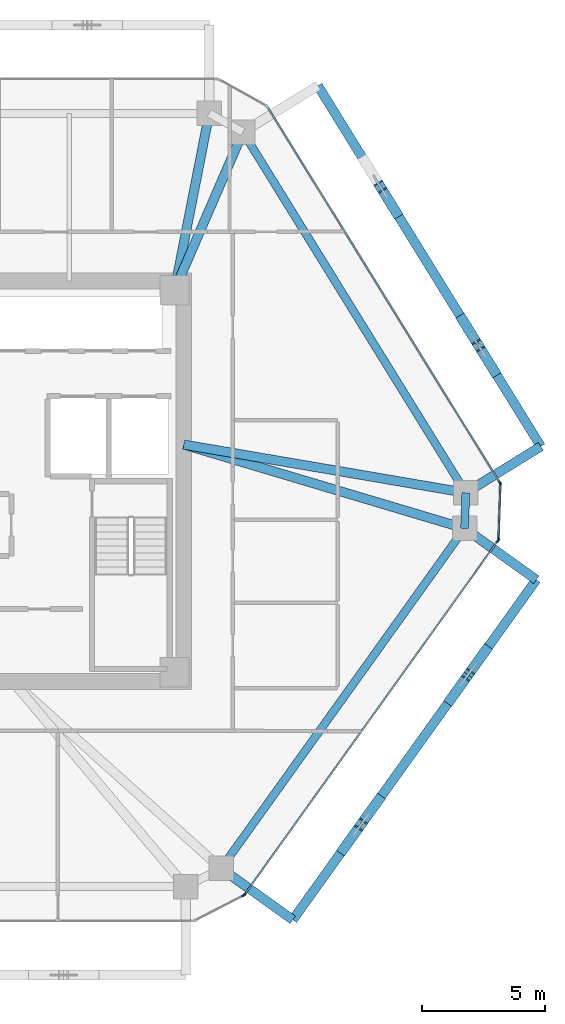
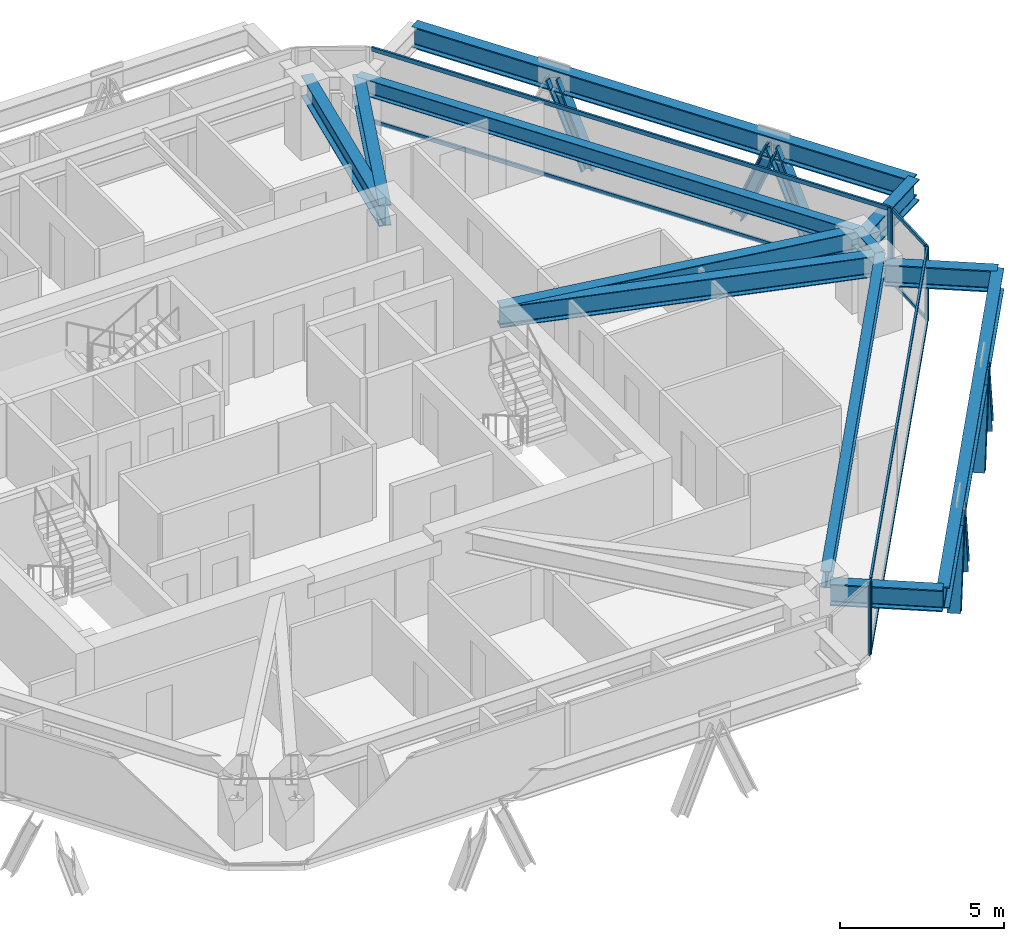
# One storey, part 5 of 15: 19 members, 12 beams, 4 elements without a shape of their own.
"""IFC4 building model written with IfcOpenShell, lengths in metres."""

from ifc_helpers import new_model, si_unit, direction, frame, origin, origin_2d, place, context, subcontext, project, spatial, rectangle, i_section, extrude, source, transform, mapped, material, layer, layer_set, material_profile, profile_set, type_object, type_shapes, element, aggregate, save


model = new_model("IFC4")

# Units and contexts
model_context = context("Model", 3, precision=1e-05, world=origin(), true_north=direction((0.0, 1.0)))
body_context = subcontext(model_context, "Body", "Model", "MODEL_VIEW")
ifc_project = project(units=[si_unit("LENGTHUNIT", "METRE"), si_unit("AREAUNIT", "SQUARE_METRE"), si_unit("VOLUMEUNIT", "CUBIC_METRE"), si_unit("PLANEANGLEUNIT", "RADIAN"), si_unit("MASSUNIT", "GRAM", prefix="KILO")], contexts=[model_context])

# Site, building, storey
site_placement = place(None, origin())
site = spatial("IfcSite", under=ifc_project, at=site_placement, CompositionType="ELEMENT")
building_placement = place(site_placement, origin())
building = spatial("IfcBuilding", under=site, at=building_placement, Name="Durnholm Broadcast Tower", CompositionType="ELEMENT")
storey_placement = place(building_placement, frame((0.0, 0.0, 206.199951171875)))
storey = spatial("IfcBuildingStorey", under=building, at=storey_placement, Name="L57", CompositionType="ELEMENT", Elevation=206.199951171875)

# Beams
ifc_material_1 = material(Name="Steel ASTM A992 Grade 50", Category="steel")
ifc_material_profile_1 = material_profile(ifc_material_1, i_section(OverallWidth=0.385009765625, OverallDepth=0.802978515625, WebThickness=0.023681640625, FlangeThickness=0.0419921875, FilletRadius=0.032958984375, at=origin_2d()), Name="W30X261")
ifc_profile_set_1 = profile_set([ifc_material_profile_1], Name="Steel ASTM A992 Grade 50")
beam_type_1 = type_object("IfcBeamType", Name="BM-EXO-TIE", PredefinedType="USERDEFINED", material=ifc_profile_set_1)
shared_shape_1 = source(origin(), body_context, "Body", "SweptSolid", [
    extrude(i_section(OverallWidth=0.385009765625, OverallDepth=0.802978515625, WebThickness=0.023681640625, FlangeThickness=0.0419921875, FilletRadius=0.032958984375, at=origin_2d()), origin(), (0.0, 0.0, 1.0), 3.4560546875),
])
for number, where, z_axis, x_axis, name in (
    (1, (11.81689453125, -15.884033203125, 2.008544921875), (0.813079048773, -0.582153296346, 0.0), (0.582153296346, 0.813079048773, 0.0), "L57 exoskeleton stand-off tie bracket F2.1"),
    (2, (21.7548828125, -2.00341796875, 2.008544921875), (0.813079048773, -0.582153296346, 0.0), (0.582153296346, 0.813079048773, 0.0), "L57 exoskeleton stand-off tie bracket F2.2"),
    (3, (21.8095703125, -0.3916015625, 2.008544921875), (0.850662348375, 0.525712439512, 0.0), (-0.525712439512, 0.850662348375, 0.0), "L57 exoskeleton stand-off tie bracket F3.1"),
):
    element("IfcBeam", number, at=place(storey_placement, frame(where, z_axis=z_axis, x_axis=x_axis)), inside=storey, type_object=beam_type_1, Name=name, ObjectType="GIRDER", PredefinedType="USERDEFINED", context=body_context, shape_type="MappedRepresentation", body=[
        mapped(shared_shape_1, transform((0.0, 0.0, 0.0), x_axis=(1.0, 0.0, 0.0), y_axis=(0.0, 1.0, 0.0), z_axis=(0.0, 0.0, 1.0), scale=1.0)),
    ])
ifc_material_profile_2 = material_profile(ifc_material_1, i_section(OverallWidth=0.3251953125, OverallDepth=0.6162109375, WebThickness=0.013916015625, FlangeThickness=0.021484375, FilletRadius=0.02783203125, at=origin_2d()), Name="W24X117")
ifc_profile_set_2 = profile_set([ifc_material_profile_2], Name="Steel ASTM A992 Grade 50")
beam_type_2 = type_object("IfcBeamType", Name="STL-SP-W24X117", PredefinedType="SPANDREL", material=ifc_profile_set_2)
shared_shape_2 = source(origin(), body_context, "Body", "SweptSolid", [
    extrude(i_section(OverallWidth=0.3251953125, OverallDepth=0.6162109375, WebThickness=0.013916015625, FlangeThickness=0.021484375, FilletRadius=0.02783203125, at=origin_2d()), origin(), (0.0, 0.0, 1.0), 17.30322265625),
])
beam_1_placement = place(storey_placement, frame((12.5908203125, 14.252197265625, 2.43701171875), z_axis=(0.525691424148, -0.850675335588, 0.0), x_axis=(0.850675335588, 0.525691424148, 0.0)))
element("IfcBeam", 4, at=beam_1_placement, inside=storey, type_object=beam_type_2, Name="L57 perimeter spandrel girder 07", PredefinedType="SPANDREL", context=body_context, shape_type="MappedRepresentation", body=[
    mapped(shared_shape_2, transform((0.0, 0.0, 0.0), x_axis=(1.0, 0.0, 0.0), y_axis=(0.0, 1.0, 0.0), z_axis=(0.0, 0.0, 1.0), scale=1.0)),
])
shared_shape_3 = source(origin(), body_context, "Body", "SweptSolid", [
    extrude(i_section(OverallWidth=0.3251953125, OverallDepth=0.6162109375, WebThickness=0.013916015625, FlangeThickness=0.021484375, FilletRadius=0.02783203125, at=origin_2d()), origin(), (0.0, 0.0, 1.0), 1.453125),
])
beam_2_placement = place(storey_placement, frame((21.68701171875, -0.46728515625, 2.43701171875), z_axis=(-0.033767922326, -0.99942970109, 0.0), x_axis=(0.99942970109, -0.033767922326, 0.0)))
element("IfcBeam", 5, at=beam_2_placement, inside=storey, type_object=beam_type_2, Name="L57 perimeter spandrel girder 08", PredefinedType="SPANDREL", context=body_context, shape_type="MappedRepresentation", body=[
    mapped(shared_shape_3, transform((0.0, 0.0, 0.0), x_axis=(1.0, 0.0, 0.0), y_axis=(0.0, 1.0, 0.0), z_axis=(0.0, 0.0, 1.0), scale=1.0)),
])
shared_shape_4 = source(origin(), body_context, "Body", "SweptSolid", [
    extrude(i_section(OverallWidth=0.3251953125, OverallDepth=0.6162109375, WebThickness=0.013916015625, FlangeThickness=0.021484375, FilletRadius=0.02783203125, at=origin_2d()), origin(), (0.0, 0.0, 1.0), 17.071533203125),
])
type_shapes(beam_type_2, [shared_shape_2, shared_shape_3, shared_shape_4])
beam_3_placement = place(storey_placement, frame((21.637939453125, -1.919677734375, 2.43701171875), z_axis=(-0.582149612352, -0.813081686449, 0.0), x_axis=(0.813081686449, -0.582149612352, 0.0)))
element("IfcBeam", 6, at=beam_3_placement, inside=storey, type_object=beam_type_2, Name="L57 perimeter spandrel girder 09", PredefinedType="SPANDREL", context=body_context, shape_type="MappedRepresentation", body=[
    mapped(shared_shape_4, transform((0.0, 0.0, 0.0), x_axis=(1.0, 0.0, 0.0), y_axis=(0.0, 1.0, 0.0), z_axis=(0.0, 0.0, 1.0), scale=1.0)),
])
ifc_material_profile_3 = material_profile(ifc_material_1, i_section(OverallWidth=0.380615234375, OverallDepth=0.773193359375, WebThickness=0.0166015625, FlangeThickness=0.027099609375, FilletRadius=0.032958984375, at=origin_2d()), Name="W30X173")
ifc_profile_set_3 = profile_set([ifc_material_profile_3], Name="Steel ASTM A992 Grade 50")
beam_type_3 = type_object("IfcBeamType", Name="STL-GR-W30X173", PredefinedType="USERDEFINED", material=ifc_profile_set_3)
shared_shape_5 = source(origin(), body_context, "Body", "SweptSolid", [
    extrude(i_section(OverallWidth=0.380615234375, OverallDepth=0.773193359375, WebThickness=0.0166015625, FlangeThickness=0.027099609375, FilletRadius=0.032958984375, at=origin_2d()), origin(), (0.0, 0.0, 1.0), 7.35595703125),
])
beam_4_placement = place(storey_placement, frame((9.800048828125, 7.800048828125, 2.3583984375), z_axis=(0.192700221893, 0.981257674865, 0.0), x_axis=(-0.981257674865, 0.192700221893, 0.0)))
element("IfcBeam", 7, at=beam_4_placement, inside=storey, type_object=beam_type_3, Name="L57 radial primary floor girder 06", ObjectType="GIRDER", PredefinedType="USERDEFINED", context=body_context, shape_type="MappedRepresentation", body=[
    mapped(shared_shape_5, transform((0.0, 0.0, 0.0), x_axis=(1.0, 0.0, 0.0), y_axis=(0.0, 1.0, 0.0), z_axis=(0.0, 0.0, 1.0), scale=1.0)),
])
shared_shape_6 = source(origin(), body_context, "Body", "SweptSolid", [
    extrude(i_section(OverallWidth=0.380615234375, OverallDepth=0.773193359375, WebThickness=0.0166015625, FlangeThickness=0.027099609375, FilletRadius=0.032958984375, at=origin_2d()), origin(), (0.0, 0.0, 1.0), 7.02978515625),
])
beam_5_placement = place(storey_placement, frame((9.800048828125, 7.800048828125, 2.3583984375), z_axis=(0.396989434191, 0.91782317967, 0.0), x_axis=(-0.91782317967, 0.396989434191, 0.0)))
element("IfcBeam", 8, at=beam_5_placement, inside=storey, type_object=beam_type_3, Name="L57 radial primary floor girder 07", ObjectType="GIRDER", PredefinedType="USERDEFINED", context=body_context, shape_type="MappedRepresentation", body=[
    mapped(shared_shape_6, transform((0.0, 0.0, 0.0), x_axis=(1.0, 0.0, 0.0), y_axis=(0.0, 1.0, 0.0), z_axis=(0.0, 0.0, 1.0), scale=1.0)),
])
shared_shape_7 = source(origin(), body_context, "Body", "SweptSolid", [
    extrude(i_section(OverallWidth=0.385009765625, OverallDepth=0.802978515625, WebThickness=0.023681640625, FlangeThickness=0.0419921875, FilletRadius=0.032958984375, at=origin_2d()), origin(), (0.0, 0.0, 1.0), 17.071533203125),
])
beam_6_placement = place(storey_placement, frame((14.626953125, -17.89599609375, 2.008544921875), z_axis=(0.582140157836, 0.813088455603, 0.0), x_axis=(-0.813088455603, 0.582140157836, 0.0)))
element("IfcBeam", 9, at=beam_6_placement, inside=storey, type_object=beam_type_1, Name="L57 exoskeleton collector spandrel F2", PredefinedType="SPANDREL", context=body_context, shape_type="MappedRepresentation", body=[
    mapped(shared_shape_7, transform((0.0, 0.0, 0.0), x_axis=(1.0, 0.0, 0.0), y_axis=(0.0, 1.0, 0.0), z_axis=(0.0, 0.0, 1.0), scale=1.0)),
])
shared_shape_8 = source(origin(), body_context, "Body", "SweptSolid", [
    extrude(i_section(OverallWidth=0.385009765625, OverallDepth=0.802978515625, WebThickness=0.023681640625, FlangeThickness=0.0419921875, FilletRadius=0.032958984375, at=origin_2d()), origin(), (0.0, 0.0, 1.0), 17.303466796875),
])
type_shapes(beam_type_1, [shared_shape_1, shared_shape_7, shared_shape_8])
beam_7_placement = place(storey_placement, frame((24.74951171875, 1.42529296875, 2.008544921875), z_axis=(-0.525701634347, 0.850669025911, 0.0), x_axis=(-0.850669025911, -0.525701634347, 0.0)))
element("IfcBeam", 10, at=beam_7_placement, inside=storey, type_object=beam_type_1, Name="L57 exoskeleton collector spandrel F3", PredefinedType="SPANDREL", context=body_context, shape_type="MappedRepresentation", body=[
    mapped(shared_shape_8, transform((0.0, 0.0, 0.0), x_axis=(1.0, 0.0, 0.0), y_axis=(0.0, 1.0, 0.0), z_axis=(0.0, 0.0, 1.0), scale=1.0)),
])
shared_shape_9 = source(origin(), body_context, "Body", "SweptSolid", [
    extrude(i_section(OverallWidth=0.380615234375, OverallDepth=0.773193359375, WebThickness=0.0166015625, FlangeThickness=0.027099609375, FilletRadius=0.032958984375, at=origin_2d()), origin(), (0.0, 0.0, 1.0), 11.678955078125),
])
beam_8_placement = place(storey_placement, frame((10.175048828125, 1.5, 2.3583984375), z_axis=(0.985710446264, -0.168448556317, 0.0), x_axis=(0.168448556317, 0.985710446264, 0.0)))
element("IfcBeam", 11, at=beam_8_placement, inside=storey, type_object=beam_type_3, Name="L57 radial primary floor girder 08", ObjectType="GIRDER", PredefinedType="USERDEFINED", context=body_context, shape_type="MappedRepresentation", body=[
    mapped(shared_shape_9, transform((0.0, 0.0, 0.0), x_axis=(1.0, 0.0, 0.0), y_axis=(0.0, 1.0, 0.0), z_axis=(0.0, 0.0, 1.0), scale=1.0)),
])
shared_shape_10 = source(origin(), body_context, "Body", "SweptSolid", [
    extrude(i_section(OverallWidth=0.380615234375, OverallDepth=0.773193359375, WebThickness=0.0166015625, FlangeThickness=0.027099609375, FilletRadius=0.032958984375, at=origin_2d()), origin(), (0.0, 0.0, 1.0), 11.962158203125),
])
type_shapes(beam_type_3, [shared_shape_5, shared_shape_6, shared_shape_9, shared_shape_10])
beam_9_placement = place(storey_placement, frame((10.175048828125, 1.5, 2.3583984375), z_axis=(0.958266673737, -0.285875815706, 0.0), x_axis=(0.285875815706, 0.958266673737, 0.0)))
element("IfcBeam", 12, at=beam_9_placement, inside=storey, type_object=beam_type_3, Name="L57 radial primary floor girder 09", ObjectType="GIRDER", PredefinedType="USERDEFINED", context=body_context, shape_type="MappedRepresentation", body=[
    mapped(shared_shape_10, transform((0.0, 0.0, 0.0), x_axis=(1.0, 0.0, 0.0), y_axis=(0.0, 1.0, 0.0), z_axis=(0.0, 0.0, 1.0), scale=1.0)),
])

# Members
ifc_material_2 = material(Name="Steel ASTM A913 Grade 65", Category="steel")
ifc_material_profile_4 = material_profile(ifc_material_2, i_section(OverallWidth=0.412109375, OverallDepth=0.434814453125, WebThickness=0.035888671875, FlangeThickness=0.057373046875, FilletRadius=0.030517578125, at=origin_2d()), Name="W14X311")
ifc_profile_set_4 = profile_set([ifc_material_profile_4], Name="Steel ASTM A913 Grade 65")
member_type_1 = type_object("IfcMemberType", Name="STL-DG-W14X311", PredefinedType="BRACE", material=ifc_profile_set_4)
shared_shape_11 = source(origin(), body_context, "Body", "SweptSolid", [
    extrude(i_section(OverallWidth=0.412109375, OverallDepth=0.434814453125, WebThickness=0.035888671875, FlangeThickness=0.057373046875, FilletRadius=0.030517578125, at=origin_2d()), origin(), (0.0, 0.0, 1.0), 3.24365234375),
])
for number, where, z_axis, x_axis, name in (
    (13, (22.50048828125, -6.898681640625, -0.991455078125), (-0.22135424125, -0.309263712104, 0.924855802953), (0.813171482985, -0.58202417412, 0.0), "L57 stand-off diagrid brace F2.D2.2"),
    (14, (21.553955078125, 6.59619140625, -0.991455078125), (0.199907251286, -0.323494490221, 0.924872102336), (0.85067825406, 0.525686701439, 0.0), "L57 stand-off diagrid brace F3.D1.2"),
    (15, (18.8486328125, 10.973876953125, -0.991455078125), (-0.199907251286, 0.323494490221, 0.924872102336), (-0.85067825406, -0.525686701439, 0.0), "L57 stand-off diagrid brace F3.D2.1"),
):
    element("IfcMember", number, at=place(storey_placement, frame(where, z_axis=z_axis, x_axis=x_axis)), inside=storey, type_object=member_type_1, Name=name, PredefinedType="BRACE", context=body_context, shape_type="MappedRepresentation", body=[
        mapped(shared_shape_11, transform((0.0, 0.0, 0.0), x_axis=(1.0, 0.0, 0.0), y_axis=(0.0, 1.0, 0.0), z_axis=(0.0, 0.0, 1.0), scale=1.0)),
    ])
shared_shape_12 = source(origin(), body_context, "Body", "SweptSolid", [
    extrude(i_section(OverallWidth=0.412109375, OverallDepth=0.434814453125, WebThickness=0.035888671875, FlangeThickness=0.057373046875, FilletRadius=0.030517578125, at=origin_2d()), origin(), (0.0, 0.0, 1.0), 3.243896484375),
])
type_shapes(member_type_1, [shared_shape_11, shared_shape_12])
for number, where, z_axis, x_axis, name in (
    (16, (16.69140625, -15.0126953125, -0.991455078125), (0.22142581661, 0.309258558956, 0.92484039242), (-0.813077820009, 0.582155012526, 0.0), "L57 stand-off diagrid brace F2.D1.1"),
    (17, (18.1279296875, -13.00634765625, -0.991455078125), (-0.22142581661, -0.309258558956, 0.92484039242), (0.813077820009, -0.582155012526, 0.0), "L57 stand-off diagrid brace F2.D1.2"),
    (18, (21.064208984375, -8.905029296875, -0.991455078125), (0.22142581661, 0.309258558956, 0.92484039242), (-0.813077820009, 0.582155012526, 0.0), "L57 stand-off diagrid brace F2.D2.1"),
    (19, (22.85107421875, 4.497314453125, -0.991455078125), (-0.199974638691, 0.323557008556, 0.924835664372), (-0.850644447398, -0.525741404219, 0.0), "L57 stand-off diagrid brace F3.D1.1"),
):
    element("IfcMember", number, at=place(storey_placement, frame(where, z_axis=z_axis, x_axis=x_axis)), inside=storey, type_object=member_type_1, Name=name, PredefinedType="BRACE", context=body_context, shape_type="MappedRepresentation", body=[
        mapped(shared_shape_12, transform((0.0, 0.0, 0.0), x_axis=(1.0, 0.0, 0.0), y_axis=(0.0, 1.0, 0.0), z_axis=(0.0, 0.0, 1.0), scale=1.0)),
    ])

# Curtain wall, members
ifc_material_3 = material(Name="Aluminium and Solar Control IGU", Category="aluminium")
ifc_layer_1 = layer(ifc_material_3, 0.1650390625)
ifc_layer_set_1 = layer_set([ifc_layer_1], Name="Aluminium and Solar Control IGU")
curtain_wall_type_1 = type_object("IfcCurtainWallType", Name="CW-SYS-5", PredefinedType="NOTDEFINED", material=ifc_layer_set_1)
curtain_wall_1_placement = place(storey_placement, origin())
curtain_wall_1 = element("IfcCurtainWall", 20, at=curtain_wall_1_placement, inside=storey, type_object=curtain_wall_type_1, Name="L57 curtain wall CW-CORNER CW-L57-CRN-07", PredefinedType="NOTDEFINED")
ifc_material_4 = material(Name="Aluminium 6063-T6", Category="aluminium")
ifc_material_profile_5 = material_profile(ifc_material_4, rectangle(XDim=0.06494140625, YDim=0.1650390625, at=origin_2d()), Name="CWM65X165")
ifc_profile_set_5 = profile_set([ifc_material_profile_5], Name="Aluminium 6063-T6")
member_type_2 = type_object("IfcMemberType", Name="CW-SYS-5-MUL", PredefinedType="MULLION", material=ifc_profile_set_5)
shared_shape_13 = source(origin(), body_context, "Body", "SweptSolid", [
    extrude(rectangle(XDim=0.06494140625, YDim=0.1650390625, at=origin_2d()), origin(), (0.0, 0.0, 1.0), 2.760009765625),
])
type_shapes(member_type_2, [shared_shape_13])
member_1_placement = place(storey_placement, frame((23.099609375, -0.1240234375, 0.0), z_axis=(0.0, 0.0, 1.0), x_axis=(0.999424798802, -0.033912704699, 0.0)))
member_1 = element("IfcMember", 21, at=member_1_placement, type_object=member_type_2, Name="CW-CORNER mullion 1", PredefinedType="MULLION", context=body_context, shape_type="MappedRepresentation", body=[
    mapped(shared_shape_13, transform((0.0, 0.0, 0.0), x_axis=(1.0, 0.0, 0.0), y_axis=(0.0, 1.0, 0.0), z_axis=(0.0, 0.0, 1.0), scale=1.0)),
])
member_2_placement = place(storey_placement, frame((23.023681640625, -2.35791015625, 0.0), z_axis=(0.0, 0.0, 1.0), x_axis=(0.999424798802, -0.033912704699, 0.0)))
member_2 = element("IfcMember", 22, at=member_2_placement, type_object=member_type_2, Name="CW-CORNER mullion 2", PredefinedType="MULLION", context=body_context, shape_type="MappedRepresentation", body=[
    mapped(shared_shape_13, transform((0.0, 0.0, 0.0), x_axis=(1.0, 0.0, 0.0), y_axis=(0.0, 1.0, 0.0), z_axis=(0.0, 0.0, 1.0), scale=1.0)),
])

# Curtain wall, member
curtain_wall_2_placement = place(storey_placement, origin())
curtain_wall_2 = element("IfcCurtainWall", 23, at=curtain_wall_2_placement, inside=storey, type_object=curtain_wall_type_1, Name="L57 curtain wall CW-CORNER CW-L57-CRN-09", PredefinedType="NOTDEFINED")
member_3_placement = place(storey_placement, frame((12.612060546875, -16.905517578125, 0.0), z_axis=(0.0, 0.0, 1.0), x_axis=(0.457081764476, -0.889424679545, 0.0)))
member_3 = element("IfcMember", 24, at=member_3_placement, type_object=member_type_2, Name="CW-CORNER mullion 1", PredefinedType="MULLION", context=body_context, shape_type="MappedRepresentation", body=[
    mapped(shared_shape_13, transform((0.0, 0.0, 0.0), x_axis=(1.0, 0.0, 0.0), y_axis=(0.0, 1.0, 0.0), z_axis=(0.0, 0.0, 1.0), scale=1.0)),
])
aggregate(curtain_wall_2, [member_3])

# Member
ifc_material_profile_6 = material_profile(ifc_material_4, rectangle(XDim=0.06494140625, YDim=0.1298828125, at=origin_2d()), Name="CWT65X130")
ifc_profile_set_6 = profile_set([ifc_material_profile_6], Name="Aluminium 6063-T6")
member_type_3 = type_object("IfcMemberType", Name="CW-SYS-5-TRN", PredefinedType="USERDEFINED", material=ifc_profile_set_6)
shared_shape_14 = source(origin(), body_context, "Body", "SweptSolid", [
    extrude(rectangle(XDim=0.06494140625, YDim=0.1298828125, at=origin_2d()), origin(), (0.0, 0.0, 1.0), 2.170166015625),
])
type_shapes(member_type_3, [shared_shape_14])
member_4_placement = place(storey_placement, frame((23.098388671875, -0.156494140625, 0.032470703125), z_axis=(-0.033861704743, -0.999426528041, 0.0), x_axis=(0.999426528041, -0.033861704743, 0.0)))
member_4 = element("IfcMember", 25, at=member_4_placement, type_object=member_type_3, Name="CW-CORNER transom 1.1", ObjectType="TRANSOM", PredefinedType="USERDEFINED", context=body_context, shape_type="MappedRepresentation", body=[
    mapped(shared_shape_14, transform((0.0, 0.0, 0.0), x_axis=(1.0, 0.0, 0.0), y_axis=(0.0, 1.0, 0.0), z_axis=(0.0, 0.0, 1.0), scale=1.0)),
])

member_5_placement = place(storey_placement, frame((23.098388671875, -0.156494140625, 2.7275390625), z_axis=(-0.033861704743, -0.999426528041, 0.0), x_axis=(0.999426528041, -0.033861704743, 0.0)))
member_5 = element("IfcMember", 26, at=member_5_placement, type_object=member_type_3, Name="CW-CORNER transom 1.2", ObjectType="TRANSOM", PredefinedType="USERDEFINED", context=body_context, shape_type="MappedRepresentation", body=[
    mapped(shared_shape_14, transform((0.0, 0.0, 0.0), x_axis=(1.0, 0.0, 0.0), y_axis=(0.0, 1.0, 0.0), z_axis=(0.0, 0.0, 1.0), scale=1.0)),
])

aggregate(curtain_wall_1, [member_1, member_2, member_4, member_5])

# Curtain wall, members
ifc_layer_2 = layer(ifc_material_3, 0.18994140625)
ifc_layer_set_2 = layer_set([ifc_layer_2], Name="Aluminium and Solar Control IGU")
curtain_wall_type_2 = type_object("IfcCurtainWallType", Name="CW-SYS-4", PredefinedType="NOTDEFINED", material=ifc_layer_set_2)
curtain_wall_3_placement = place(storey_placement, origin())
curtain_wall_3 = element("IfcCurtainWall", 27, at=curtain_wall_3_placement, inside=storey, type_object=curtain_wall_type_2, Name="L57 curtain wall CW-Z34-VIS CW-L57-F06", PredefinedType="NOTDEFINED")
ifc_material_profile_7 = material_profile(ifc_material_4, rectangle(XDim=0.070068359375, YDim=0.14990234375, at=origin_2d()), Name="CWT70X150")
ifc_profile_set_7 = profile_set([ifc_material_profile_7], Name="Aluminium 6063-T6")
member_type_4 = type_object("IfcMemberType", Name="CW-SYS-4-TRN", PredefinedType="USERDEFINED", material=ifc_profile_set_7)
shared_shape_15 = source(origin(), body_context, "Body", "SweptSolid", [
    extrude(rectangle(XDim=0.070068359375, YDim=0.14990234375, at=origin_2d()), origin(), (0.0, 0.0, 1.0), 17.950927734375),
])
member_6_placement = place(storey_placement, frame((13.627197265625, 15.23828125, 0.03515625), z_axis=(0.525699895853, -0.850670100274, 0.0), x_axis=(0.850670100274, 0.525699895853, 0.0)))
member_6 = element("IfcMember", 28, at=member_6_placement, type_object=member_type_4, Name="CW-Z34-VIS transom 1.1", ObjectType="TRANSOM", PredefinedType="USERDEFINED", context=body_context, shape_type="MappedRepresentation", body=[
    mapped(shared_shape_15, transform((0.0, 0.0, 0.0), x_axis=(1.0, 0.0, 0.0), y_axis=(0.0, 1.0, 0.0), z_axis=(0.0, 0.0, 1.0), scale=1.0)),
])
member_7_placement = place(storey_placement, frame((13.627197265625, 15.23828125, 2.72509765625), z_axis=(0.525699895853, -0.850670100274, 0.0), x_axis=(0.850670100274, 0.525699895853, 0.0)))
member_7 = element("IfcMember", 29, at=member_7_placement, type_object=member_type_4, Name="CW-Z34-VIS transom 1.2", ObjectType="TRANSOM", PredefinedType="USERDEFINED", context=body_context, shape_type="MappedRepresentation", body=[
    mapped(shared_shape_15, transform((0.0, 0.0, 0.0), x_axis=(1.0, 0.0, 0.0), y_axis=(0.0, 1.0, 0.0), z_axis=(0.0, 0.0, 1.0), scale=1.0)),
])

curtain_wall_4_placement = place(storey_placement, origin())
curtain_wall_4 = element("IfcCurtainWall", 30, at=curtain_wall_4_placement, inside=storey, type_object=curtain_wall_type_2, Name="L57 curtain wall CW-Z34-VIS CW-L57-F08", PredefinedType="NOTDEFINED")
shared_shape_16 = source(origin(), body_context, "Body", "SweptSolid", [
    extrude(rectangle(XDim=0.070068359375, YDim=0.14990234375, at=origin_2d()), origin(), (0.0, 0.0, 1.0), 17.693603515625),
])
type_shapes(member_type_4, [shared_shape_15, shared_shape_16])
member_8_placement = place(storey_placement, frame((22.98193359375, -2.447265625, 0.03515625), z_axis=(-0.582144969277, -0.813085010774, 0.0), x_axis=(0.813085010774, -0.582144969277, 0.0)))
member_8 = element("IfcMember", 31, at=member_8_placement, type_object=member_type_4, Name="CW-Z34-VIS transom 1.1", ObjectType="TRANSOM", PredefinedType="USERDEFINED", context=body_context, shape_type="MappedRepresentation", body=[
    mapped(shared_shape_16, transform((0.0, 0.0, 0.0), x_axis=(1.0, 0.0, 0.0), y_axis=(0.0, 1.0, 0.0), z_axis=(0.0, 0.0, 1.0), scale=1.0)),
])
member_9_placement = place(storey_placement, frame((22.98193359375, -2.447265625, 2.72509765625), z_axis=(-0.582144969277, -0.813085010774, 0.0), x_axis=(0.813085010774, -0.582144969277, 0.0)))
member_9 = element("IfcMember", 32, at=member_9_placement, type_object=member_type_4, Name="CW-Z34-VIS transom 1.2", ObjectType="TRANSOM", PredefinedType="USERDEFINED", context=body_context, shape_type="MappedRepresentation", body=[
    mapped(shared_shape_16, transform((0.0, 0.0, 0.0), x_axis=(1.0, 0.0, 0.0), y_axis=(0.0, 1.0, 0.0), z_axis=(0.0, 0.0, 1.0), scale=1.0)),
])

# Member
ifc_material_profile_8 = material_profile(ifc_material_4, rectangle(XDim=0.070068359375, YDim=0.18994140625, at=origin_2d()), Name="CWM70X190")
ifc_profile_set_8 = profile_set([ifc_material_profile_8], Name="Aluminium 6063-T6")
member_type_5 = type_object("IfcMemberType", Name="CW-SYS-4-MUL", PredefinedType="MULLION", material=ifc_profile_set_8)
shared_shape_17 = source(origin(), body_context, "Body", "SweptSolid", [
    extrude(rectangle(XDim=0.070068359375, YDim=0.18994140625, at=origin_2d()), origin(), (0.0, 0.0, 1.0), 2.760009765625),
])
type_shapes(member_type_5, [shared_shape_17])
member_10_placement = place(storey_placement, frame((23.082275390625, -0.061767578125, 0.0), z_axis=(0.0, 0.0, 1.0), x_axis=(0.850671426092, 0.525697750452, 0.0)))
member_10 = element("IfcMember", 33, at=member_10_placement, type_object=member_type_5, Name="CW-Z34-VIS mullion 2", PredefinedType="MULLION", context=body_context, shape_type="MappedRepresentation", body=[
    mapped(shared_shape_17, transform((0.0, 0.0, 0.0), x_axis=(1.0, 0.0, 0.0), y_axis=(0.0, 1.0, 0.0), z_axis=(0.0, 0.0, 1.0), scale=1.0)),
])

aggregate(curtain_wall_3, [member_10, member_6, member_7])

member_11_placement = place(storey_placement, frame((23.00244140625, -2.418701171875, 0.0), z_axis=(0.0, 0.0, 1.0), x_axis=(0.813089262696, -0.582139030549, 0.0)))
member_11 = element("IfcMember", 34, at=member_11_placement, type_object=member_type_5, Name="CW-Z34-VIS mullion 1", PredefinedType="MULLION", context=body_context, shape_type="MappedRepresentation", body=[
    mapped(shared_shape_17, transform((0.0, 0.0, 0.0), x_axis=(1.0, 0.0, 0.0), y_axis=(0.0, 1.0, 0.0), z_axis=(0.0, 0.0, 1.0), scale=1.0)),
])

member_12_placement = place(storey_placement, frame((12.661376953125, -16.8623046875, 0.0), z_axis=(0.0, 0.0, 1.0), x_axis=(0.813089262696, -0.582139030549, 0.0)))
member_12 = element("IfcMember", 35, at=member_12_placement, type_object=member_type_5, Name="CW-Z34-VIS mullion 2", PredefinedType="MULLION", context=body_context, shape_type="MappedRepresentation", body=[
    mapped(shared_shape_17, transform((0.0, 0.0, 0.0), x_axis=(1.0, 0.0, 0.0), y_axis=(0.0, 1.0, 0.0), z_axis=(0.0, 0.0, 1.0), scale=1.0)),
])

aggregate(curtain_wall_4, [member_11, member_12, member_8, member_9])

save(model, "model.ifc")
